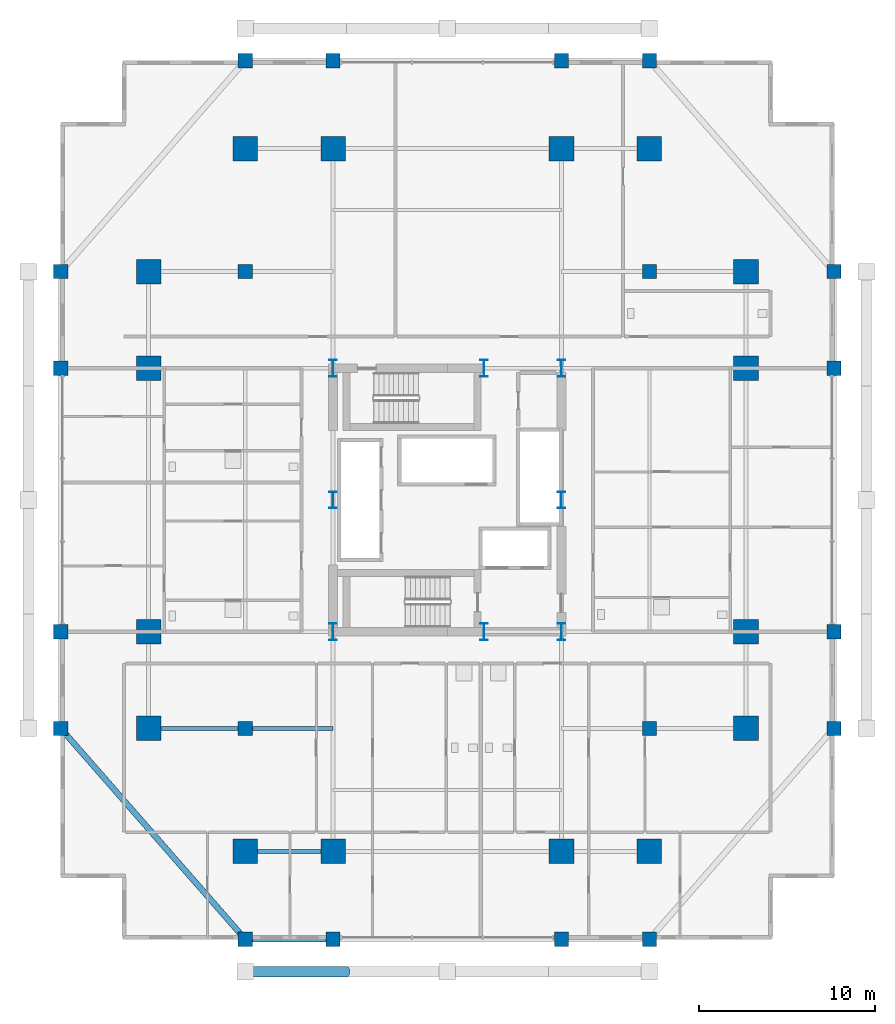
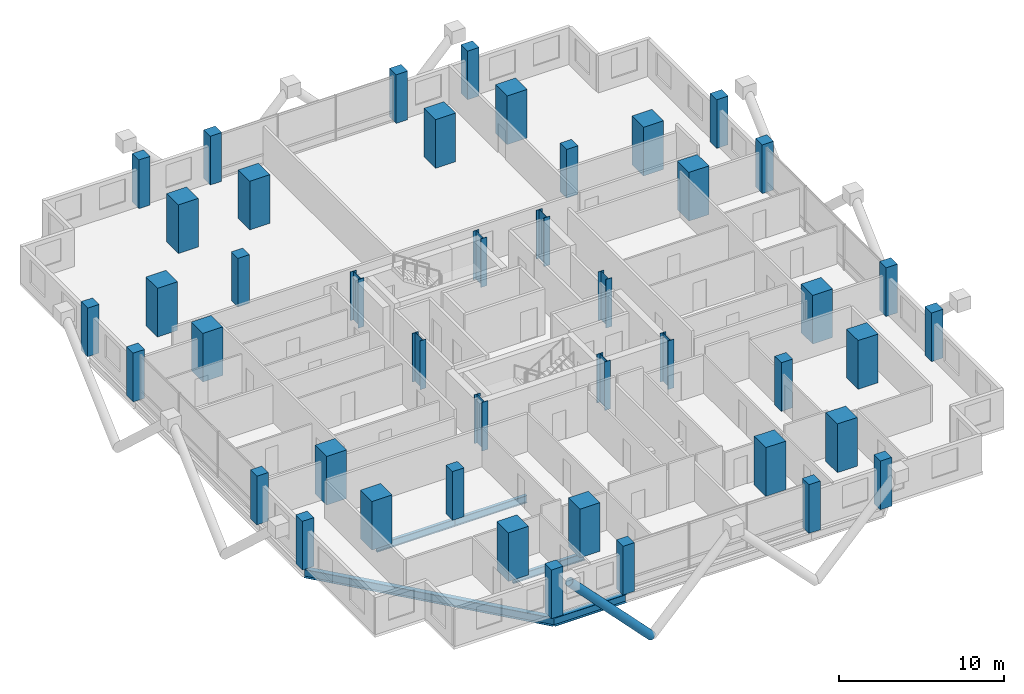
# One storey, part 1 of 23: 44 columns, 5 beams, 1 member.
"""IFC4 building model written with IfcOpenShell, lengths in metres."""

from ifc_helpers import new_model, si_unit, direction, frame, origin, origin_2d, place, context, subcontext, project, spatial, rectangle, hollow_circle, i_section, extrude, material, material_profile, profile_set, type_object, element, save


model = new_model("IFC4")

# Units and contexts
model_context = context("Model", 3, precision=1e-05, world=origin(), true_north=direction((0.0, 1.0)))
body_context = subcontext(model_context, "Body", "Model", "MODEL_VIEW")
ifc_project = project(units=[si_unit("LENGTHUNIT", "METRE"), si_unit("AREAUNIT", "SQUARE_METRE"), si_unit("VOLUMEUNIT", "CUBIC_METRE"), si_unit("PLANEANGLEUNIT", "RADIAN"), si_unit("MASSUNIT", "GRAM", prefix="KILO")], contexts=[model_context])

# Site, building, storey
site_placement = place(None, origin())
site = spatial("IfcSite", under=ifc_project, at=site_placement, CompositionType="ELEMENT")
building_placement = place(site_placement, origin())
building = spatial("IfcBuilding", under=site, at=building_placement, Name="Barlavira Tower and Art Museum", CompositionType="ELEMENT")
storey_placement = place(building_placement, frame((0.0, 0.0, 36.0)))
storey = spatial("IfcBuildingStorey", under=building, at=storey_placement, Name="L07", CompositionType="ELEMENT", Elevation=36.0)

# Columns
ifc_material_1 = material(Name="Steel S355", Category="steel")
ifc_material_profile_1 = material_profile(ifc_material_1, i_section(OverallWidth=0.419921875, OverallDepth=0.9599609375, WebThickness=0.02197265625, FlangeThickness=0.033935546875, at=origin_2d()), Name="W920x387.0")
ifc_profile_set_1 = profile_set([ifc_material_profile_1], Name="Steel S355")
column_type_1 = type_object("IfcColumnType", Name="Core Composite Column W920x387 Steel S355", PredefinedType="COLUMN", material=ifc_profile_set_1)
for number, where, z_axis, x_axis, name in (
    (1, (-6.5, -7.5, 0.0), (0.0, 0.0, 1.0), (1.0, 0.0, 0.0), "L07 Column CC-L07-C1"),
    (2, (2.080078125, -7.5, 0.0), (0.0, 0.0, 1.0), (1.0, 0.0, 0.0), "L07 Column CC-L07-C2"),
    (3, (6.5, -7.5, 0.0), (0.0, 0.0, 1.0), (1.0, 0.0, 0.0), "L07 Column CC-L07-C3"),
    (4, (-6.5, 0.0, 0.0), (0.0, 0.0, 1.0), (1.0, 0.0, 0.0), "L07 Column CC-L07-C4"),
    (5, (6.5, 0.0, 0.0), (0.0, 0.0, 1.0), (1.0, 0.0, 0.0), "L07 Column CC-L07-C5"),
    (6, (-6.5, 7.5, 0.0), (0.0, 0.0, 1.0), (1.0, 0.0, 0.0), "L07 Column CC-L07-C6"),
    (7, (2.080078125, 7.5, 0.0), (0.0, 0.0, 1.0), (1.0, 0.0, 0.0), "L07 Column CC-L07-C7"),
    (8, (6.5, 7.5, 0.0), (0.0, 0.0, 1.0), (1.0, 0.0, 0.0), "L07 Column CC-L07-C8"),
):
    element("IfcColumn", number, at=place(storey_placement, frame(where, z_axis=z_axis, x_axis=x_axis)), inside=storey, type_object=column_type_1, Name=name, PredefinedType="COLUMN", context=body_context, shape_type="SweptSolid", body=[
        extrude(i_section(OverallWidth=0.419921875, OverallDepth=0.9599609375, WebThickness=0.02197265625, FlangeThickness=0.033935546875, at=origin_2d()), origin(), (0.0, 0.0, 1.0), 3.60009765625),
    ])
ifc_material_2 = material(Name="Concrete C60", Category="concrete")
ifc_material_profile_2 = material_profile(ifc_material_2, rectangle(XDim=1.39990234375, YDim=1.39990234375, at=origin_2d()), Name="RC-MCOL 1400x1400")
ifc_profile_set_2 = profile_set([ifc_material_profile_2], Name="Concrete C60")
column_type_2 = type_object("IfcColumnType", Name="Perimeter Mega Column 1400x1400 Concrete C60", PredefinedType="USERDEFINED", material=ifc_profile_set_2)
for number, where, z_axis, x_axis, name in (
    (9, (-11.5, -20.0, 0.0), (0.0, 0.0, 1.0), (1.0, 0.0, 0.0), "L07 Column MC-L07-M01"),
    (10, (-6.5, -20.0, 0.0), (0.0, 0.0, 1.0), (1.0, 0.0, 0.0), "L07 Column MC-L07-M02"),
    (11, (6.5, -20.0, 0.0), (0.0, 0.0, 1.0), (1.0, 0.0, 0.0), "L07 Column MC-L07-M03"),
    (12, (11.5, -20.0, 0.0), (0.0, 0.0, 1.0), (1.0, 0.0, 0.0), "L07 Column MC-L07-M04"),
    (13, (17.0, -13.0, 0.0), (0.0, 0.0, 1.0), (1.0, 0.0, 0.0), "L07 Column MC-L07-M05"),
    (14, (17.0, -7.5, 0.0), (0.0, 0.0, 1.0), (1.0, 0.0, 0.0), "L07 Column MC-L07-M06"),
    (15, (17.0, 7.5, 0.0), (0.0, 0.0, 1.0), (1.0, 0.0, 0.0), "L07 Column MC-L07-M07"),
    (16, (17.0, 13.0, 0.0), (0.0, 0.0, 1.0), (1.0, 0.0, 0.0), "L07 Column MC-L07-M08"),
    (17, (11.5, 20.0, 0.0), (0.0, 0.0, 1.0), (1.0, 0.0, 0.0), "L07 Column MC-L07-M09"),
    (18, (6.5, 20.0, 0.0), (0.0, 0.0, 1.0), (1.0, 0.0, 0.0), "L07 Column MC-L07-M10"),
    (19, (-6.5, 20.0, 0.0), (0.0, 0.0, 1.0), (1.0, 0.0, 0.0), "L07 Column MC-L07-M11"),
    (20, (-11.5, 20.0, 0.0), (0.0, 0.0, 1.0), (1.0, 0.0, 0.0), "L07 Column MC-L07-M12"),
    (21, (-17.0, 13.0, 0.0), (0.0, 0.0, 1.0), (1.0, 0.0, 0.0), "L07 Column MC-L07-M13"),
    (22, (-17.0, 7.5, 0.0), (0.0, 0.0, 1.0), (1.0, 0.0, 0.0), "L07 Column MC-L07-M14"),
    (23, (-17.0, -7.5, 0.0), (0.0, 0.0, 1.0), (1.0, 0.0, 0.0), "L07 Column MC-L07-M15"),
    (24, (-17.0, -13.0, 0.0), (0.0, 0.0, 1.0), (1.0, 0.0, 0.0), "L07 Column MC-L07-M16"),
):
    element("IfcColumn", number, at=place(storey_placement, frame(where, z_axis=z_axis, x_axis=x_axis)), inside=storey, type_object=column_type_2, Name=name, ObjectType="MEGA COLUMN", PredefinedType="USERDEFINED", context=body_context, shape_type="SweptSolid", body=[
        extrude(rectangle(XDim=1.39990234375, YDim=1.39990234375, at=origin_2d()), origin(), (0.0, 0.0, 1.0), 3.60009765625),
    ])
ifc_material_3 = material(Name="Concrete C50", Category="concrete")
ifc_material_profile_3 = material_profile(ifc_material_3, rectangle(XDim=0.800048828125, YDim=0.800048828125, at=origin_2d()), Name="RC-COL 800x800")
ifc_profile_set_3 = profile_set([ifc_material_profile_3], Name="Concrete C50")
column_type_3 = type_object("IfcColumnType", Name="Podium Frame Column 800x800 Concrete C50", PredefinedType="COLUMN", material=ifc_profile_set_3)
for number, where, z_axis, x_axis, name in (
    (25, (-11.5, -13.0, 0.0), (0.0, 0.0, 1.0), (1.0, 0.0, 0.0), "L07 Column CI-L07-I1"),
    (26, (11.5, -13.0, 0.0), (0.0, 0.0, 1.0), (1.0, 0.0, 0.0), "L07 Column CI-L07-I2"),
    (27, (-11.5, 13.0, 0.0), (0.0, 0.0, 1.0), (1.0, 0.0, 0.0), "L07 Column CI-L07-I3"),
    (28, (11.5, 13.0, 0.0), (0.0, 0.0, 1.0), (1.0, 0.0, 0.0), "L07 Column CI-L07-I4"),
    (29, (-11.5, -25.0, 0.0), (0.0, 0.0, 1.0), (1.0, 0.0, 0.0), "L07 Column CZ1-L07-N01"),
    (30, (-6.5, -25.0, 0.0), (0.0, 0.0, 1.0), (1.0, 0.0, 0.0), "L07 Column CZ1-L07-N02"),
    (31, (6.5, -25.0, 0.0), (0.0, 0.0, 1.0), (1.0, 0.0, 0.0), "L07 Column CZ1-L07-N02B"),
    (32, (11.5, -25.0, 0.0), (0.0, 0.0, 1.0), (1.0, 0.0, 0.0), "L07 Column CZ1-L07-N03"),
    (33, (-22.0, -13.0, 0.0), (0.0, 0.0, 1.0), (1.0, 0.0, 0.0), "L07 Column CZ1-L07-N04"),
    (34, (-22.0, -7.5, 0.0), (0.0, 0.0, 1.0), (1.0, 0.0, 0.0), "L07 Column CZ1-L07-N05"),
    (35, (-22.0, 7.5, 0.0), (0.0, 0.0, 1.0), (1.0, 0.0, 0.0), "L07 Column CZ1-L07-N05B"),
    (36, (-22.0, 13.0, 0.0), (0.0, 0.0, 1.0), (1.0, 0.0, 0.0), "L07 Column CZ1-L07-N06"),
    (37, (-11.5, 25.0, 0.0), (0.0, 0.0, 1.0), (1.0, 0.0, 0.0), "L07 Column CZ1-L07-N07"),
    (38, (-6.5, 25.0, 0.0), (0.0, 0.0, 1.0), (1.0, 0.0, 0.0), "L07 Column CZ1-L07-N08"),
    (39, (6.5, 25.0, 0.0), (0.0, 0.0, 1.0), (1.0, 0.0, 0.0), "L07 Column CZ1-L07-N08B"),
    (40, (11.5, 25.0, 0.0), (0.0, 0.0, 1.0), (1.0, 0.0, 0.0), "L07 Column CZ1-L07-N09"),
    (41, (22.0, -13.0, 0.0), (0.0, 0.0, 1.0), (1.0, 0.0, 0.0), "L07 Column CZ1-L07-N10"),
    (42, (22.0, -7.5, 0.0), (0.0, 0.0, 1.0), (1.0, 0.0, 0.0), "L07 Column CZ1-L07-N11"),
    (43, (22.0, 7.5, 0.0), (0.0, 0.0, 1.0), (1.0, 0.0, 0.0), "L07 Column CZ1-L07-N11B"),
    (44, (22.0, 13.0, 0.0), (0.0, 0.0, 1.0), (1.0, 0.0, 0.0), "L07 Column CZ1-L07-N12"),
):
    element("IfcColumn", number, at=place(storey_placement, frame(where, z_axis=z_axis, x_axis=x_axis)), inside=storey, type_object=column_type_3, Name=name, PredefinedType="COLUMN", context=body_context, shape_type="SweptSolid", body=[
        extrude(rectangle(XDim=0.800048828125, YDim=0.800048828125, at=origin_2d()), origin(), (0.0, 0.0, 1.0), 3.60009765625),
    ])

# Member
ifc_material_profile_4 = material_profile(ifc_material_1, hollow_circle(Radius=0.304931640625, WallThickness=0.028076171875, at=origin_2d()), Name="CHS 610.0x28.0")
ifc_profile_set_4 = profile_set([ifc_material_profile_4], Name="Steel S355")
member_type = type_object("IfcMemberType", Name="Pale-Metal Exoskeleton Diagrid Tube CHS 610x28 Steel S355", PredefinedType="BRACE", material=ifc_profile_set_4)
member_placement = place(storey_placement, frame((-5.75, -26.85009765625, -2.52001953125), z_axis=(-0.691905363236, 0.0, 0.721988205115), x_axis=(0.0, -1.0, 0.0)))
element("IfcMember", 45, at=member_placement, inside=storey, type_object=member_type, Name="L07 Exoskeleton Diagrid Tube S", PredefinedType="BRACE", context=body_context, shape_type="SweptSolid", body=[
    extrude(hollow_circle(Radius=0.304931640625, WallThickness=0.028076171875, at=origin_2d()), origin(), (0.0, 0.0, 1.0), 8.310302734375),
])

# Beams
ifc_material_profile_5 = material_profile(ifc_material_1, i_section(OverallWidth=0.327880859375, OverallDepth=0.62890625, WebThickness=0.013916015625, FlangeThickness=0.021484375, at=origin_2d()), Name="W610x174.0")
ifc_profile_set_5 = profile_set([ifc_material_profile_5], Name="Steel S355")
beam_type_1 = type_object("IfcBeamType", Name="Perimeter Spandrel Edge Beam W610x174 Steel S355", PredefinedType="SPANDREL", material=ifc_profile_set_5)
beam_1_placement = place(storey_placement, frame((-11.5, -25.0, -0.534423828125), z_axis=(1.0, 0.0, 0.0), x_axis=(0.0, 1.0, 0.0)))
element("IfcBeam", 46, at=beam_1_placement, inside=storey, type_object=beam_type_1, Name="L07 Spandrel 1", PredefinedType="SPANDREL", context=body_context, shape_type="SweptSolid", body=[
    extrude(i_section(OverallWidth=0.327880859375, OverallDepth=0.62890625, WebThickness=0.013916015625, FlangeThickness=0.021484375, at=origin_2d()), origin(), (0.0, 0.0, 1.0), 5.0),
])
beam_2_placement = place(storey_placement, frame((-22.0, -13.0, -0.534423828125), z_axis=(0.658504607869, -0.752576694707, 0.0), x_axis=(0.752576694707, 0.658504607869, 0.0)))
element("IfcBeam", 47, at=beam_2_placement, inside=storey, type_object=beam_type_1, Name="L07 Spandrel 16", PredefinedType="SPANDREL", context=body_context, shape_type="SweptSolid", body=[
    extrude(i_section(OverallWidth=0.327880859375, OverallDepth=0.62890625, WebThickness=0.013916015625, FlangeThickness=0.021484375, at=origin_2d()), origin(), (0.0, 0.0, 1.0), 15.9453125),
])
ifc_material_profile_6 = material_profile(ifc_material_1, i_section(OverallWidth=0.214111328125, OverallDepth=0.549072265625, WebThickness=0.0146484375, FlangeThickness=0.023681640625, at=origin_2d()), Name="W530x138.0")
ifc_profile_set_6 = profile_set([ifc_material_profile_6], Name="Steel S355")
beam_type_2 = type_object("IfcBeamType", Name="Zone 1 Primary Floor Girder W530x138 Steel S355", PredefinedType="BEAM", material=ifc_profile_set_6)
beam_3_placement = place(storey_placement, frame((-11.5, -20.0, -0.494384765625), z_axis=(1.0, 0.0, 0.0), x_axis=(0.0, 1.0, 0.0)))
element("IfcBeam", 48, at=beam_3_placement, inside=storey, type_object=beam_type_2, Name="L07 Girder M-S1", PredefinedType="BEAM", context=body_context, shape_type="SweptSolid", body=[
    extrude(i_section(OverallWidth=0.214111328125, OverallDepth=0.549072265625, WebThickness=0.0146484375, FlangeThickness=0.023681640625, at=origin_2d()), origin(), (0.0, 0.0, 1.0), 5.0),
])
beam_4_placement = place(storey_placement, frame((-17.0, -13.0, -0.494384765625), z_axis=(1.0, 0.0, 0.0), x_axis=(0.0, 1.0, 0.0)))
element("IfcBeam", 49, at=beam_4_placement, inside=storey, type_object=beam_type_2, Name="L07 Girder I-S1", PredefinedType="BEAM", context=body_context, shape_type="SweptSolid", body=[
    extrude(i_section(OverallWidth=0.214111328125, OverallDepth=0.549072265625, WebThickness=0.0146484375, FlangeThickness=0.023681640625, at=origin_2d()), origin(), (0.0, 0.0, 1.0), 5.5),
])
beam_5_placement = place(storey_placement, frame((-11.5, -13.0, -0.494384765625), z_axis=(1.0, 0.0, 0.0), x_axis=(0.0, 1.0, 0.0)))
element("IfcBeam", 50, at=beam_5_placement, inside=storey, type_object=beam_type_2, Name="L07 Girder I-S2", PredefinedType="BEAM", context=body_context, shape_type="SweptSolid", body=[
    extrude(i_section(OverallWidth=0.214111328125, OverallDepth=0.549072265625, WebThickness=0.0146484375, FlangeThickness=0.023681640625, at=origin_2d()), origin(), (0.0, 0.0, 1.0), 5.0),
])

save(model, "model.ifc")
